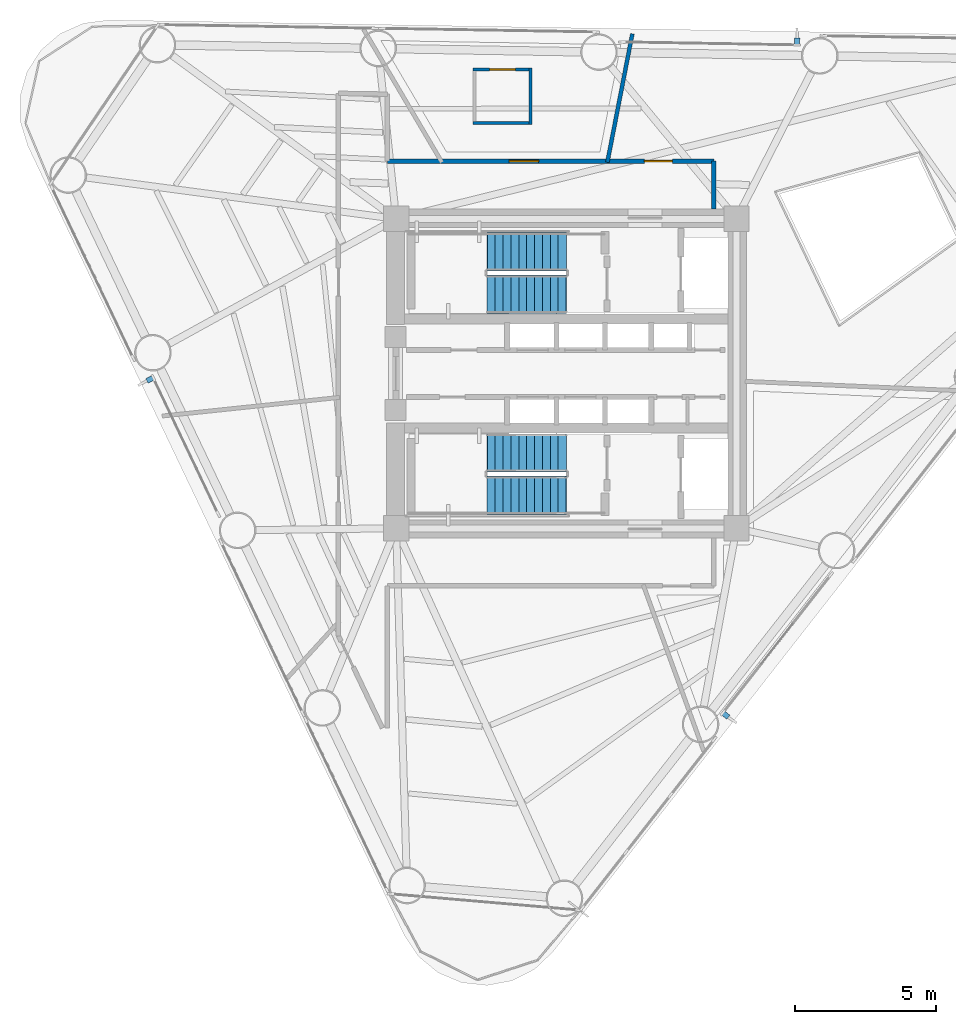
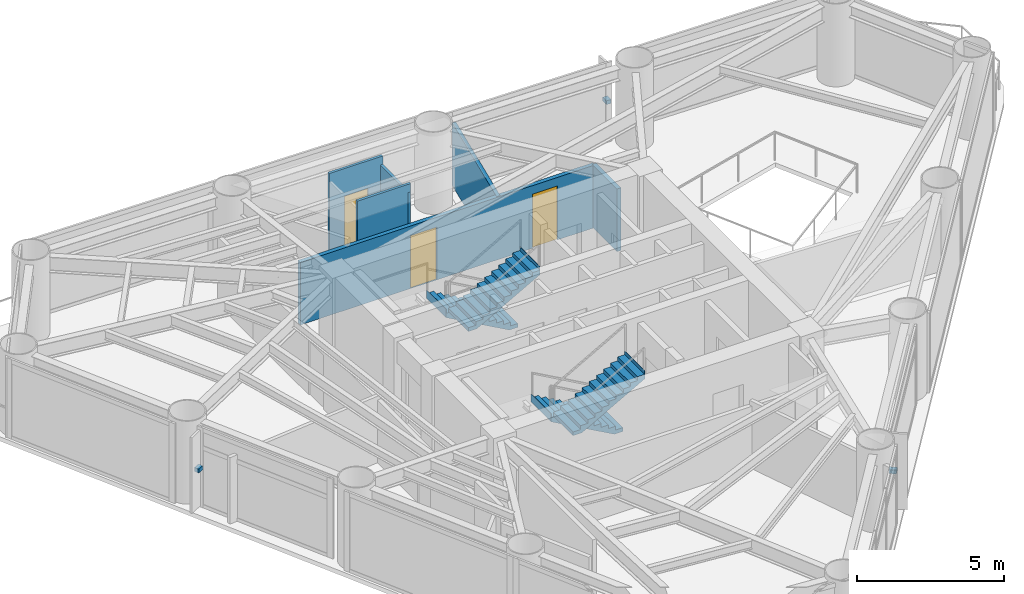
# One storey, part 7 of 10: 6 walls, 4 stair flights, 3 discrete accessories, 3 doors, 3 openings, 2 elements without a shape of their own.
"""IFC4 building model written with IfcOpenShell, lengths in metres."""

from ifc_helpers import new_model, si_unit, direction, frame, frame_2d, origin, origin_2d, place, context, subcontext, project, spatial, polyline, rectangle, outline, extrude, source, transform, mapped, material, layer, layer_set, type_object, element, fill, aggregate, save


model = new_model("IFC4")

# Units and contexts
model_context = context("Model", 3, precision=1e-05, world=origin(), true_north=direction((0.0, 1.0)))
body_context = subcontext(model_context, "Body", "Model", "MODEL_VIEW")
ifc_project = project(units=[si_unit("LENGTHUNIT", "METRE"), si_unit("AREAUNIT", "SQUARE_METRE"), si_unit("VOLUMEUNIT", "CUBIC_METRE"), si_unit("PLANEANGLEUNIT", "RADIAN"), si_unit("MASSUNIT", "GRAM", prefix="KILO")], contexts=[model_context])

# Site, building, storey
site_placement = place(None, origin())
site = spatial("IfcSite", under=ifc_project, at=site_placement, CompositionType="ELEMENT")
building_placement = place(site_placement, origin())
building = spatial("IfcBuilding", under=site, at=building_placement, Name="Yunling Apex Tower", CompositionType="ELEMENT")
storey_placement = place(building_placement, frame((0.0, 0.0, 129.5)))
storey = spatial("IfcBuildingStorey", under=building, at=storey_placement, Name="L31", CompositionType="ELEMENT", Elevation=129.5)

# Wall, openings, doors
ifc_material_1 = material(Name="Gypsum board acoustic partition")
ifc_layer_1 = layer(ifc_material_1, 0.159912109375)
ifc_layer_set_1 = layer_set([ifc_layer_1], Name="Gypsum board acoustic partition")
wall_type_1 = type_object("IfcWallType", Name="WL-PRT-1", PredefinedType="PARTITIONING", material=ifc_layer_set_1)
wall_1_placement = place(storey_placement, frame((-6.360107421875, 7.550048828125, 0.0), z_axis=(0.0, 0.0, 1.0), x_axis=(1.0, 0.0, 0.0)))
wall_1 = element("IfcWall", 1, at=wall_1_placement, inside=storey, type_object=wall_type_1, Name="WL-CORR-L31-07", PredefinedType="PARTITIONING", context=body_context, shape_type="SweptSolid", body=[
    extrude(rectangle(XDim=11.610107421875, YDim=0.159912109375, at=frame_2d((5.80517578125, 0.0))), origin(), (0.0, 0.0, 1.0), 2.60498046875),
])
opening_1_placement = place(wall_1_placement, frame((4.330322265625, 0.0, 0.0)))
opening_1 = element("IfcOpeningElement", 2, at=opening_1_placement, cuts=wall_1, Name="Opening DR-FL-1", PredefinedType="OPENING", context=body_context, shape_type="SweptSolid", body=[
    extrude(rectangle(XDim=1.050048828125, YDim=2.199951171875, at=frame_2d((0.52490234375, 1.10009765625))), frame((0.0, 0.08984375, 0.0), z_axis=(0.0, -1.0, 0.0), x_axis=(1.0, 0.0, 0.0)), (0.0, 0.0, 1.0), 0.179931640625),
])
opening_2_placement = place(wall_1_placement, frame((9.13330078125, 0.0, 0.0)))
opening_2 = element("IfcOpeningElement", 3, at=opening_2_placement, cuts=wall_1, Name="Opening DR-OFF-1", PredefinedType="OPENING", context=body_context, shape_type="SweptSolid", body=[
    extrude(rectangle(XDim=1.0, YDim=2.25, at=frame_2d((0.5, 1.125))), frame((0.0, 0.08984375, 0.0), z_axis=(0.0, -1.0, 0.0), x_axis=(1.0, 0.0, 0.0)), (0.0, 0.0, 1.0), 0.179931640625),
])
ifc_material_2 = material(Name="Timber fire-rated leaf", Category="wood")
door_type_1 = type_object("IfcDoorType", Name="DR-FL-1", OperationType="NOTDEFINED", PredefinedType="DOOR", material=ifc_material_2)
door_1_placement = place(opening_1_placement, origin())
door_1 = element("IfcDoor", 4, at=door_1_placement, inside=storey, type_object=door_type_1, Name="L31 Hotel Guest Room Door", OperationType="SINGLE_SWING_LEFT", OverallHeight=2.199951171875, OverallWidth=1.050048828125, PredefinedType="DOOR", context=body_context, shape_type="SweptSolid", body=[
    extrude(rectangle(XDim=1.050048828125, YDim=2.199951171875, at=frame_2d((0.52490234375, 1.10009765625))), frame((0.0, 0.02490234375, 0.0), z_axis=(0.0, -1.0, 0.0), x_axis=(1.0, 0.0, 0.0)), (0.0, 0.0, 1.0), 0.050048828125),
])
fill(opening_1, door_1)
ifc_material_3 = material(Name="Bronze anodised aluminium", Category="aluminium")
door_type_2 = type_object("IfcDoorType", Name="DR-OFF-1", OperationType="NOTDEFINED", PredefinedType="DOOR", material=ifc_material_3)
door_2_placement = place(opening_2_placement, origin())
door_2 = element("IfcDoor", 5, at=door_2_placement, inside=storey, type_object=door_type_2, Name="L31 Club Lounge Door", OperationType="SINGLE_SWING_RIGHT", OverallHeight=2.25, OverallWidth=1.0, PredefinedType="DOOR", context=body_context, shape_type="SweptSolid", body=[
    extrude(rectangle(XDim=1.0, YDim=2.25, at=frame_2d((0.5, 1.125))), frame((0.0, 0.02490234375, 0.0), z_axis=(0.0, -1.0, 0.0), x_axis=(1.0, 0.0, 0.0)), (0.0, 0.0, 1.0), 0.050048828125),
])
fill(opening_2, door_2)

# Walls
wall_2_placement = place(storey_placement, frame((5.25, 7.550048828125, 0.0), z_axis=(0.0, 0.0, 1.0), x_axis=(0.0, -1.0, 0.0)))
element("IfcWall", 6, at=wall_2_placement, inside=storey, type_object=wall_type_1, Name="WL-CORR-L31-08", PredefinedType="PARTITIONING", context=body_context, shape_type="SweptSolid", body=[
    extrude(rectangle(XDim=1.699951171875, YDim=0.159912109375, at=frame_2d((0.85009765625, 0.0))), origin(), (0.0, 0.0, 1.0), 2.60498046875),
])
ifc_layer_2 = layer(ifc_material_1, 0.139892578125)
ifc_layer_set_2 = layer_set([ifc_layer_2], Name="Gypsum board acoustic partition")
wall_type_2 = type_object("IfcWallType", Name="WL-PRT-2", PredefinedType="PARTITIONING", material=ifc_layer_set_2)
wall_3_placement = place(storey_placement, frame((1.459716796875, 7.510009765625, 0.0), z_axis=(0.0, 0.0, 1.0), x_axis=(0.19080504805, 0.981627950722, 0.0)))
element("IfcWall", 7, at=wall_3_placement, inside=storey, type_object=wall_type_2, Name="WL-RAD-L31-02", PredefinedType="PARTITIONING", context=body_context, shape_type="SweptSolid", body=[
    extrude(rectangle(XDim=4.65234375, YDim=0.139892578125, at=frame_2d((2.326171875, 0.0))), origin(), (0.0, 0.0, 1.0), 2.60498046875),
])

# Wall, opening, door
ifc_layer_3 = layer(ifc_material_1, 0.10009765625)
ifc_layer_set_3 = layer_set([ifc_layer_3], Name="Gypsum board acoustic partition")
wall_type_3 = type_object("IfcWallType", Name="WL-PRT-4", PredefinedType="PARTITIONING", material=ifc_layer_set_3)
wall_4_placement = place(storey_placement, frame((-3.318115234375, 10.804931640625, 0.0), z_axis=(0.0, 0.0, 1.0), x_axis=(1.0, 0.0, 0.0)))
wall_4 = element("IfcWall", 8, at=wall_4_placement, inside=storey, type_object=wall_type_3, Name="WL-ENS-L31-5N", PredefinedType="PARTITIONING", context=body_context, shape_type="SweptSolid", body=[
    extrude(rectangle(XDim=2.10009765625, YDim=0.10009765625, at=frame_2d((1.050048828125, 0.0))), origin(), (0.0, 0.0, 1.0), 3.25),
])
opening_3_placement = place(wall_4_placement, frame((0.590087890625, 0.0, 0.0)))
opening_3 = element("IfcOpeningElement", 9, at=opening_3_placement, cuts=wall_4, Name="Opening DR-WC-1", PredefinedType="OPENING", context=body_context, shape_type="SweptSolid", body=[
    extrude(rectangle(XDim=0.919921875, YDim=2.10009765625, at=frame_2d((0.4599609375, 1.050048828125))), frame((0.0, 0.06005859375, 0.0), z_axis=(0.0, -1.0, 0.0), x_axis=(1.0, 0.0, 0.0)), (0.0, 0.0, 1.0), 0.1201171875),
])
ifc_material_4 = material(Name="Timber moisture-resistant leaf", Category="wood")
door_type_3 = type_object("IfcDoorType", Name="DR-WC-1", OperationType="NOTDEFINED", PredefinedType="DOOR", material=ifc_material_4)
door_3_placement = place(opening_3_placement, origin())
door_3 = element("IfcDoor", 10, at=door_3_placement, inside=storey, type_object=door_type_3, Name="L31 En-Suite Door", OperationType="SINGLE_SWING_LEFT", OverallHeight=2.10009765625, OverallWidth=0.919921875, PredefinedType="DOOR", context=body_context, shape_type="SweptSolid", body=[
    extrude(rectangle(XDim=0.919921875, YDim=2.10009765625, at=frame_2d((0.4599609375, 1.050048828125))), frame((0.0, 0.02490234375, 0.0), z_axis=(0.0, -1.0, 0.0), x_axis=(1.0, 0.0, 0.0)), (0.0, 0.0, 1.0), 0.050048828125),
])
fill(opening_3, door_3)

# Walls
wall_5_placement = place(storey_placement, frame((-1.218017578125, 8.905029296875, 0.0), z_axis=(0.0, 0.0, 1.0), x_axis=(-1.0, 0.0, 0.0)))
element("IfcWall", 11, at=wall_5_placement, inside=storey, type_object=wall_type_3, Name="WL-ENS-L31-5S", PredefinedType="PARTITIONING", context=body_context, shape_type="SweptSolid", body=[
    extrude(rectangle(XDim=2.10009765625, YDim=0.10009765625, at=frame_2d((1.050048828125, 0.0))), origin(), (0.0, 0.0, 1.0), 3.25),
])
wall_6_placement = place(storey_placement, frame((-1.26806640625, 10.85498046875, 0.0), z_axis=(0.0, 0.0, 1.0), x_axis=(0.0, -1.0, 0.0)))
element("IfcWall", 12, at=wall_6_placement, inside=storey, type_object=wall_type_3, Name="WL-ENS-L31-5E", PredefinedType="PARTITIONING", context=body_context, shape_type="SweptSolid", body=[
    extrude(rectangle(XDim=2.0, YDim=0.10009765625, at=frame_2d((1.0, 0.0))), origin(), (0.0, 0.0, 1.0), 2.905029296875),
])

# Stair, stair flights
ifc_material_5 = material(Name="Concrete C40", Category="concrete")
stair_type = type_object("IfcStairType", Name="ST-TWR-2", PredefinedType="HALF_TURN_STAIR", material=ifc_material_5)
stair_1_placement = place(storey_placement, origin())
stair_1 = element("IfcStair", 13, at=stair_1_placement, inside=storey, type_object=stair_type, Name="L31 North Core Smokeproof Exit Stair ST-1", PredefinedType="HALF_TURN_STAIR")
stair_flight_type = type_object("IfcStairFlightType", Name="SFL-TWR-2", PredefinedType="STRAIGHT", material=ifc_material_5)
stair_flight_1_placement = place(storey_placement, frame((-0.010009765625, 4.330078125, 0.0), z_axis=(0.0, 0.0, 1.0), x_axis=(-1.0, 0.0, 0.0)))
stair_flight_1 = element("IfcStairFlight", 14, at=stair_flight_1_placement, type_object=stair_flight_type, Name="ST-1 flight 1", NumberOfRisers=11, NumberOfTreads=10, PredefinedType="STRAIGHT", RiserHeight=0.156818182, TreadLength=0.28, context=body_context, shape_type="SweptSolid", body=[
    extrude(outline(polyline([(-0.011962890625, 0.0), (-0.011962890625, 0.15673828125), (0.0, 0.15673828125), (0.280029296875, 0.15673828125), (0.280029296875, 0.313720703125), (0.56005859375, 0.313720703125), (0.56005859375, 0.470458984375), (0.840087890625, 0.470458984375), (0.840087890625, 0.627197265625), (1.1201171875, 0.627197265625), (1.1201171875, 0.7841796875), (1.39990234375, 0.7841796875), (1.39990234375, 0.94091796875), (1.679931640625, 0.94091796875), (1.679931640625, 1.09765625), (1.9599609375, 1.09765625), (1.9599609375, 1.254638671875), (2.239990234375, 1.254638671875), (2.239990234375, 1.411376953125), (2.52001953125, 1.411376953125), (2.52001953125, 1.568115234375), (2.800048828125, 1.568115234375), (2.800048828125, 1.72509765625), (2.81201171875, 1.72509765625), (2.81201171875, 1.385009765625), (0.3271484375, 0.0), (-0.011962890625, 0.0)])), frame((0.0, 0.68017578125, 0.0), z_axis=(0.0, -1.0, 0.0), x_axis=(1.0, 0.0, 0.0)), (0.0, 0.0, 1.0), 1.360107421875),
])
stair_flight_2_placement = place(storey_placement, frame((-2.81005859375, 2.820068359375, 1.72509765625), z_axis=(0.0, 0.0, 1.0), x_axis=(1.0, 0.0, 0.0)))
stair_flight_2 = element("IfcStairFlight", 15, at=stair_flight_2_placement, type_object=stair_flight_type, Name="ST-1 flight 2", NumberOfRisers=11, NumberOfTreads=10, PredefinedType="STRAIGHT", RiserHeight=0.156818182, TreadLength=0.28, context=body_context, shape_type="SweptSolid", body=[
    extrude(outline(polyline([(-0.011962890625, 0.0), (-0.011962890625, 0.15673828125), (0.0, 0.15673828125), (0.280029296875, 0.15673828125), (0.280029296875, 0.313720703125), (0.56005859375, 0.313720703125), (0.56005859375, 0.470458984375), (0.840087890625, 0.470458984375), (0.840087890625, 0.627197265625), (1.1201171875, 0.627197265625), (1.1201171875, 0.7841796875), (1.39990234375, 0.7841796875), (1.39990234375, 0.94091796875), (1.679931640625, 0.94091796875), (1.679931640625, 1.09765625), (1.9599609375, 1.09765625), (1.9599609375, 1.254638671875), (2.239990234375, 1.254638671875), (2.239990234375, 1.411376953125), (2.52001953125, 1.411376953125), (2.52001953125, 1.568115234375), (2.800048828125, 1.568115234375), (2.800048828125, 1.72509765625), (2.81201171875, 1.72509765625), (2.81201171875, 1.385009765625), (0.3271484375, 0.0), (-0.011962890625, 0.0)])), frame((0.0, 0.68017578125, 0.0), z_axis=(0.0, -1.0, 0.0), x_axis=(1.0, 0.0, 0.0)), (0.0, 0.0, 1.0), 1.360107421875),
])
aggregate(stair_1, [stair_flight_1, stair_flight_2])

stair_2_placement = place(storey_placement, origin())
stair_2 = element("IfcStair", 16, at=stair_2_placement, inside=storey, type_object=stair_type, Name="L31 South Core Smokeproof Exit Stair ST-2", PredefinedType="HALF_TURN_STAIR")
stair_flight_3_placement = place(storey_placement, frame((-0.010009765625, -2.820068359375, 0.0), z_axis=(0.0, 0.0, 1.0), x_axis=(-1.0, 0.0, 0.0)))
stair_flight_3 = element("IfcStairFlight", 17, at=stair_flight_3_placement, type_object=stair_flight_type, Name="ST-2 flight 1", NumberOfRisers=11, NumberOfTreads=10, PredefinedType="STRAIGHT", RiserHeight=0.156818182, TreadLength=0.28, context=body_context, shape_type="SweptSolid", body=[
    extrude(outline(polyline([(-0.011962890625, 0.0), (-0.011962890625, 0.15673828125), (0.0, 0.15673828125), (0.280029296875, 0.15673828125), (0.280029296875, 0.313720703125), (0.56005859375, 0.313720703125), (0.56005859375, 0.470458984375), (0.840087890625, 0.470458984375), (0.840087890625, 0.627197265625), (1.1201171875, 0.627197265625), (1.1201171875, 0.7841796875), (1.39990234375, 0.7841796875), (1.39990234375, 0.94091796875), (1.679931640625, 0.94091796875), (1.679931640625, 1.09765625), (1.9599609375, 1.09765625), (1.9599609375, 1.254638671875), (2.239990234375, 1.254638671875), (2.239990234375, 1.411376953125), (2.52001953125, 1.411376953125), (2.52001953125, 1.568115234375), (2.800048828125, 1.568115234375), (2.800048828125, 1.72509765625), (2.81201171875, 1.72509765625), (2.81201171875, 1.385009765625), (0.3271484375, 0.0), (-0.011962890625, 0.0)])), frame((0.0, 0.68017578125, 0.0), z_axis=(0.0, -1.0, 0.0), x_axis=(1.0, 0.0, 0.0)), (0.0, 0.0, 1.0), 1.360107421875),
])
stair_flight_4_placement = place(storey_placement, frame((-2.81005859375, -4.330078125, 1.72509765625), z_axis=(0.0, 0.0, 1.0), x_axis=(1.0, 0.0, 0.0)))
stair_flight_4 = element("IfcStairFlight", 18, at=stair_flight_4_placement, type_object=stair_flight_type, Name="ST-2 flight 2", NumberOfRisers=11, NumberOfTreads=10, PredefinedType="STRAIGHT", RiserHeight=0.156818182, TreadLength=0.28, context=body_context, shape_type="SweptSolid", body=[
    extrude(outline(polyline([(-0.011962890625, 0.0), (-0.011962890625, 0.15673828125), (0.0, 0.15673828125), (0.280029296875, 0.15673828125), (0.280029296875, 0.313720703125), (0.56005859375, 0.313720703125), (0.56005859375, 0.470458984375), (0.840087890625, 0.470458984375), (0.840087890625, 0.627197265625), (1.1201171875, 0.627197265625), (1.1201171875, 0.7841796875), (1.39990234375, 0.7841796875), (1.39990234375, 0.94091796875), (1.679931640625, 0.94091796875), (1.679931640625, 1.09765625), (1.9599609375, 1.09765625), (1.9599609375, 1.254638671875), (2.239990234375, 1.254638671875), (2.239990234375, 1.411376953125), (2.52001953125, 1.411376953125), (2.52001953125, 1.568115234375), (2.800048828125, 1.568115234375), (2.800048828125, 1.72509765625), (2.81201171875, 1.72509765625), (2.81201171875, 1.385009765625), (0.3271484375, 0.0), (-0.011962890625, 0.0)])), frame((0.0, 0.68017578125, 0.0), z_axis=(0.0, -1.0, 0.0), x_axis=(1.0, 0.0, 0.0)), (0.0, 0.0, 1.0), 1.360107421875),
])
aggregate(stair_2, [stair_flight_3, stair_flight_4])

# Discrete accessories
ifc_material_6 = material(Name="Steel Q355B", Category="steel")
discrete_accessory_type = type_object("IfcDiscreteAccessoryType", Name="BK-FIN-1", PredefinedType="BRACKET", material=ifc_material_6)
shared_shape = source(origin(), body_context, "Body", "SweptSolid", [
    extrude(rectangle(XDim=0.179931640625, YDim=0.260009765625, at=origin_2d()), origin(), (0.0, 0.0, 1.0), 0.159912109375),
])
for number, where, z_axis, x_axis, name in (
    (19, (5.658447265625, -12.135986328125, 1.55517578125), (0.0, 0.0, 1.0), (0.616211460536, 0.787580748815, 0.0), "CW-L31-F1-B2-BRK-01-1"),
    (20, (8.207763671875, 11.798828125, 1.55517578125), (0.0, 0.0, 1.0), (-0.999859635577, 0.016754376869, 0.0), "CW-L31-F2-B2-BRK-01-1"),
    (21, (-14.790283203125, -0.201416015625, 1.55517578125), (0.0, 0.0, 1.0), (0.430511096808, -0.90258528435, 0.0), "CW-L31-F3-B2-BRK-01-1"),
):
    element("IfcDiscreteAccessory", number, at=place(storey_placement, frame(where, z_axis=z_axis, x_axis=x_axis)), inside=storey, type_object=discrete_accessory_type, Name=name, PredefinedType="BRACKET", context=body_context, shape_type="MappedRepresentation", body=[
        mapped(shared_shape, transform((0.0, 0.0, 0.0), scale=1.0)),
    ])

save(model, "model.ifc")
